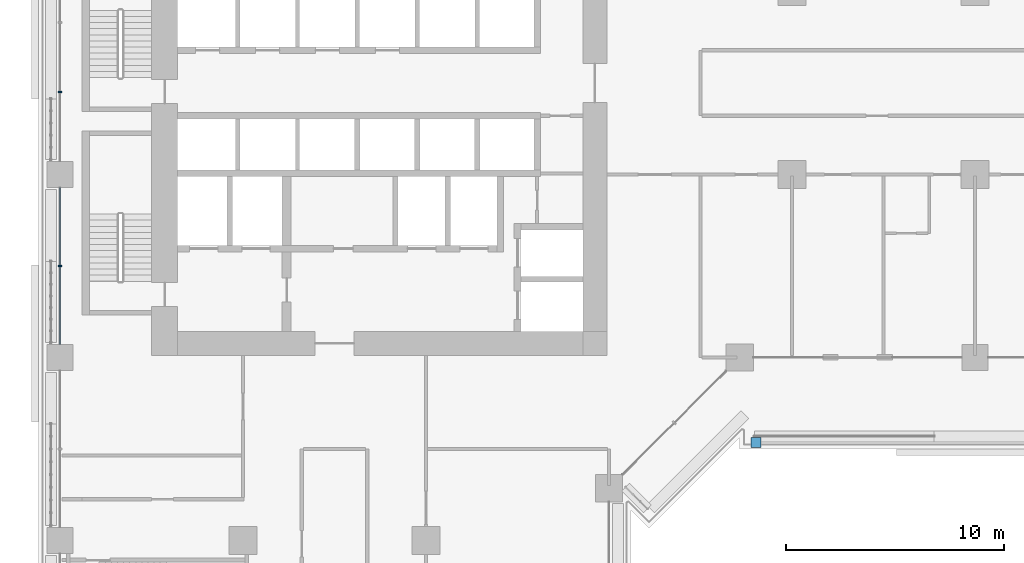
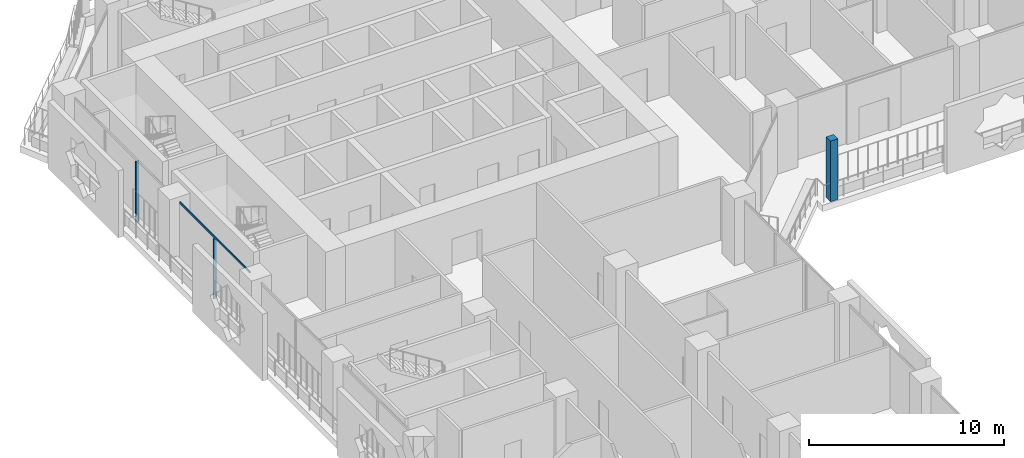
# One storey, part 5 of 28: 4 members, 2 elements without a shape of their own.
"""IFC4 building model written with IfcOpenShell, lengths in metres."""

import ifcopenshell
import ifcopenshell.guid

model = None  # the IFC model being written
_history = None  # IfcOwnerHistory: only IFC2X3 demands one
_inside = {}  # id of a spatial element -> (the spatial element, [elements in it])
_under = {}  # id of a project, library or spatial element -> (it, [spatial elements below it])
_declared = {}  # id of a project -> (the project, [libraries it declares])
_typed = {}  # id of a type object -> (the type object, [elements of that type])
_made_of = {}  # id of a material, layer set ... -> (it, [elements and type objects made of it])


def new_model(schema):
    """Start an empty IFC model of exactly this schema.

    Asked for "IFC4X3", IfcOpenShell would pick the latest addendum, in which some entities
    have other attributes; the version numbers below select the first issue.
    IFC2X3 requires an IfcOwnerHistory on every rooted entity: one is made here for all.
    """
    global model, _history
    if schema == "IFC4X3":
        model = ifcopenshell.file(schema_version=(4, 3, 0, 0))
    else:
        model = ifcopenshell.file(schema=schema)
    _inside.clear()
    _under.clear()
    _declared.clear()
    _typed.clear()
    _made_of.clear()
    _history = None
    if model.schema == "IFC2X3":
        org = make("IfcOrganization", Name="unknown")
        user = make(
            "IfcPersonAndOrganization",
            ThePerson=make("IfcPerson", FamilyName="unknown"),
            TheOrganization=org,
        )
        app = make(
            "IfcApplication",
            ApplicationDeveloper=org,
            Version="unknown",
            ApplicationFullName="unknown",
            ApplicationIdentifier="unknown",
        )
        _history = make(
            "IfcOwnerHistory",
            OwningUser=user,
            OwningApplication=app,
            ChangeAction="ADDED",
            CreationDate=0,
        )
    return model


def make(cls, **values):
    """One entity of the class cls with the attributes given. An attribute that is None is left unset."""
    return model.create_entity(
        cls, **{name: value for name, value in values.items() if value is not None}
    )


def rooted(cls, **values):
    """An entity with a GlobalId (a new one), such as an element, a storey or a relation."""
    return make(cls, GlobalId=ifcopenshell.guid.new(), OwnerHistory=_history, **values)


def si_unit(unit_type, name, prefix=None):
    """IfcSIUnit, for example si_unit("LENGTHUNIT", "METRE", prefix="MILLI")."""
    return make("IfcSIUnit", UnitType=unit_type, Prefix=prefix, Name=name)


def assignment(units):
    """IfcUnitAssignment: the units of a project."""
    return None if units is None else make("IfcUnitAssignment", Units=units)


def point(xyz):
    """IfcCartesianPoint."""
    return None if xyz is None else make("IfcCartesianPoint", Coordinates=xyz)


def direction(xyz):
    """IfcDirection."""
    return None if xyz is None else make("IfcDirection", DirectionRatios=xyz)


def frame(location, z_axis=None, x_axis=None):
    """IfcAxis2Placement3D, a coordinate frame: its origin and axes. An axis left out is left unset."""
    return make(
        "IfcAxis2Placement3D",
        Location=point(location),
        Axis=direction(z_axis),
        RefDirection=direction(x_axis),
    )


def frame_2d(location, x_axis=None):
    """IfcAxis2Placement2D, a coordinate frame in the plane: its origin and x axis."""
    return make(
        "IfcAxis2Placement2D", Location=point(location), RefDirection=direction(x_axis)
    )


def origin():
    """The frame at (0, 0, 0) with its axes left unset."""
    return frame((0.0, 0.0, 0.0))


def origin_2d():
    """The frame at (0, 0) in the plane with its x axis left unset."""
    return frame_2d((0.0, 0.0))


def place(relative_to, where):
    """IfcLocalPlacement: puts the frame where relative to a parent placement (None: the world)."""
    return make(
        "IfcLocalPlacement", PlacementRelTo=relative_to, RelativePlacement=where
    )


def context(
    kind, dimensions, precision=None, world=None, true_north=None, identifier=None
):
    """IfcGeometricRepresentationContext, for example the 3D "Model" context."""
    return make(
        "IfcGeometricRepresentationContext",
        ContextIdentifier=identifier,
        ContextType=kind,
        CoordinateSpaceDimension=dimensions,
        Precision=precision,
        WorldCoordinateSystem=world,
        TrueNorth=true_north,
    )


def subcontext(parent, identifier, kind, view, scale=None):
    """IfcGeometricRepresentationSubContext, for example "Body" below "Model"."""
    return make(
        "IfcGeometricRepresentationSubContext",
        ContextIdentifier=identifier,
        ContextType=kind,
        ParentContext=parent,
        TargetScale=scale,
        TargetView=view,
    )


def project(units=None, contexts=None):
    """IfcProject with its units and contexts."""
    return rooted(
        "IfcProject",
        Name="project",
        RepresentationContexts=contexts,
        UnitsInContext=assignment(units),
    )


def spatial(cls, under=None, at=None, **own):
    """A site, building, storey or space (cls), placed at a placement, below another one or the project."""
    s = rooted(cls, ObjectPlacement=at, **own)
    if under is not None:
        _under.setdefault(under.id(), (under, []))[1].append(s)
    return s


def profile(cls, at=None, kind="AREA", **sizes):
    """A parametric profile (cls). Its sizes go by their IFC names, for example OverallWidth=200.0."""
    return make(cls, ProfileType=kind, Position=at, **sizes)


def rectangle(**sizes):
    """IfcRectangleProfileDef."""
    return profile("IfcRectangleProfileDef", **sizes)


def extrude(swept, where, along, depth):
    """IfcExtrudedAreaSolid: the profile swept, set in the frame where, extruded along a direction by depth."""
    return make(
        "IfcExtrudedAreaSolid",
        SweptArea=swept,
        Position=where,
        ExtrudedDirection=direction(along),
        Depth=depth,
    )


def shape(context_of_items, identifier, shape_type, items):
    """IfcShapeRepresentation: the items that make up one representation, for example the "Body"."""
    return make(
        "IfcShapeRepresentation",
        ContextOfItems=context_of_items,
        RepresentationIdentifier=identifier,
        RepresentationType=shape_type,
        Items=items,
    )


def material(Name=None, Category=None):
    """IfcMaterial."""
    return make("IfcMaterial", Name=Name, Category=Category)


def layer(
    of_material, thickness, ventilated=None, Name=None, Category=None, Priority=None
):
    """IfcMaterialLayer: one layer of a wall or slab, of a material (None: an air gap)."""
    return make(
        "IfcMaterialLayer",
        Material=of_material,
        LayerThickness=thickness,
        IsVentilated=ventilated,
        Name=Name,
        Category=Category,
        Priority=Priority,
    )


def layer_set(layers, Name=None):
    """IfcMaterialLayerSet."""
    return make("IfcMaterialLayerSet", MaterialLayers=layers, LayerSetName=Name)


def material_profile(
    of_material, cross_section, Name=None, Category=None, Priority=None
):
    """IfcMaterialProfile: a cross section and its material."""
    return make(
        "IfcMaterialProfile",
        Name=Name,
        Material=of_material,
        Profile=cross_section,
        Priority=Priority,
        Category=Category,
    )


def profile_set(profiles, Name=None, composite=None):
    """IfcMaterialProfileSet."""
    return make(
        "IfcMaterialProfileSet",
        Name=Name,
        MaterialProfiles=profiles,
        CompositeProfile=composite,
    )


def made_of(thing, what):
    """Note that an element or type object is made of a material, layer set ...; save() writes the relation."""
    if what is not None:
        _made_of.setdefault(what.id(), (what, []))[1].append(thing)
    return thing


def type_object(cls, material=None, **own):
    """A type object (cls), such as IfcWallType, which elements share."""
    return made_of(rooted(cls, **own), material)


def element(
    cls,
    number,
    at=None,
    inside=None,
    cuts=None,
    type_object=None,
    material=None,
    context=None,
    identifier="Body",
    shape_type=None,
    held_by="IfcProductDefinitionShape",
    body=None,
    shapes=None,
    **own,
):
    """One element of the class cls, such as IfcWall. Its Tag is "e" and its number.

    at: its placement. inside: the storey or other place that contains it. cuts: it is an
    opening in that element (IfcRelVoidsElement). A single representation is given by context,
    identifier, shape_type and body (its items); several are given by shapes. held_by: the class
    of the entity that holds the representations. save() writes the other relations.
    """
    e = rooted(cls, Tag="e%d" % number, ObjectPlacement=at, **own)
    if body is not None:
        shapes = [shape(context, identifier, shape_type, body)]
    if shapes is not None:
        e.Representation = make(held_by, Representations=shapes)
    if inside is not None:
        _inside.setdefault(inside.id(), (inside, []))[1].append(e)
    if cuts is not None:
        rooted(
            "IfcRelVoidsElement", RelatingBuildingElement=cuts, RelatedOpeningElement=e
        )
    if type_object is not None:
        _typed.setdefault(type_object.id(), (type_object, []))[1].append(e)
    return made_of(e, material)


def aggregate(whole, parts):
    """IfcRelAggregates: a whole, such as a stair, and the parts it consists of."""
    return rooted("IfcRelAggregates", RelatingObject=whole, RelatedObjects=parts)


def save(model, path):
    """Write the relations noted so far, then the file.

    IfcRelAggregates (storeys below a building ...), IfcRelContainedInSpatialStructure (elements
    in a storey), IfcRelDefinesByType, IfcRelAssociatesMaterial and IfcRelDeclares: one each for
    every whole, place, type object, material and project.
    """
    for whole, parts in _under.values():
        aggregate(whole, parts)
    for where, things in _inside.values():
        rooted(
            "IfcRelContainedInSpatialStructure",
            RelatedElements=things,
            RelatingStructure=where,
        )
    for kind, things in _typed.values():
        rooted("IfcRelDefinesByType", RelatedObjects=things, RelatingType=kind)
    for what, things in _made_of.values():
        rooted("IfcRelAssociatesMaterial", RelatedObjects=things, RelatingMaterial=what)
    for by, libraries in _declared.values():
        rooted("IfcRelDeclares", RelatingContext=by, RelatedDefinitions=libraries)
    model.write(path)


model = new_model("IFC4")

# Units and contexts
model_context = context("Model", 3, precision=1e-05, world=origin(), true_north=direction((0.0, 1.0)))
body_context = subcontext(model_context, "Body", "Model", "MODEL_VIEW")
ifc_project = project(units=[si_unit("LENGTHUNIT", "METRE"), si_unit("AREAUNIT", "SQUARE_METRE"), si_unit("VOLUMEUNIT", "CUBIC_METRE"), si_unit("PLANEANGLEUNIT", "RADIAN"), si_unit("MASSUNIT", "GRAM", prefix="KILO")], contexts=[model_context])

# Site, building, storey
site_placement = place(None, origin())
site = spatial("IfcSite", under=ifc_project, at=site_placement, CompositionType="ELEMENT")
building_placement = place(site_placement, origin())
building = spatial("IfcBuilding", under=site, at=building_placement, Name="Kawkab Arch Medical Tower", CompositionType="ELEMENT")
storey_placement = place(building_placement, frame((0.0, 0.0, 77.0)))
storey = spatial("IfcBuildingStorey", under=building, at=storey_placement, Name="L17", CompositionType="ELEMENT", Elevation=77.0)

# Curtain wall, members
ifc_material_1 = material(Name="Bronze anodised aluminium curtain wall frame", Category="aluminium")
ifc_layer_1 = layer(ifc_material_1, 0.159912109375)
ifc_layer_set_1 = layer_set([ifc_layer_1], Name="Bronze anodised aluminium curtain wall frame")
curtain_wall_type_1 = type_object("IfcCurtainWallType", Name="CW1 ward curtain wall", PredefinedType="NOTDEFINED", material=ifc_layer_set_1)
placement = place(storey_placement, origin())
curtain_wall_1 = element("IfcCurtainWall", 1, at=placement, inside=storey, type_object=curtain_wall_type_1, Name="CW1 Ward curtain wall R01", PredefinedType="NOTDEFINED")
ifc_material_2 = material(Name="Bronze anodised aluminium curtain wall frame", Category="aluminium")
ifc_material_profile_1 = material_profile(ifc_material_2, rectangle(XDim=0.179931640625, YDim=0.06005859375, at=origin_2d()), Name="AL 60x180")
ifc_profile_set_1 = profile_set([ifc_material_profile_1], Name="Bronze anodised aluminium curtain wall frame")
member_type_1 = type_object("IfcMemberType", Name="CW1 mullion 60 x 180", PredefinedType="MULLION", material=ifc_profile_set_1)
member_1_placement = place(storey_placement, frame((0.0, -13.00830078125, 0.0), z_axis=(0.0, 0.0, 1.0), x_axis=(1.0, 0.0, 0.0)))
member_1 = element("IfcMember", 2, at=member_1_placement, type_object=member_type_1, Name="CW1 mullion 1.2", PredefinedType="MULLION", context=body_context, shape_type="SweptSolid", body=[
    extrude(rectangle(XDim=0.179931640625, YDim=0.06005859375, at=origin_2d()), origin(), (0.0, 0.0, 1.0), 3.780029296875),
])
member_2_placement = place(storey_placement, frame((0.0, -21.0, 0.0), z_axis=(0.0, 0.0, 1.0), x_axis=(1.0, 0.0, 0.0)))
member_2 = element("IfcMember", 3, at=member_2_placement, type_object=member_type_1, Name="CW1 mullion 2.1", PredefinedType="MULLION", context=body_context, shape_type="SweptSolid", body=[
    extrude(rectangle(XDim=0.179931640625, YDim=0.06005859375, at=origin_2d()), origin(), (0.0, 0.0, 1.0), 3.780029296875),
])
ifc_material_3 = material(Name="Bronze anodised aluminium curtain wall frame", Category="aluminium")
ifc_material_profile_2 = material_profile(ifc_material_3, rectangle(XDim=0.06005859375, YDim=0.1201171875, at=origin_2d()), Name="AL 60x120")
ifc_profile_set_2 = profile_set([ifc_material_profile_2], Name="Bronze anodised aluminium curtain wall frame")
member_type_2 = type_object("IfcMemberType", Name="CW1 transom 120 x 60", PredefinedType="USERDEFINED", material=ifc_profile_set_2)
member_3_placement = place(storey_placement, frame((0.0, -17.39990234375, 3.840087890625), z_axis=(0.0, -1.0, 0.0), x_axis=(1.0, 0.0, 0.0)))
member_3 = element("IfcMember", 4, at=member_3_placement, type_object=member_type_2, Name="CW1 transom 2", ObjectType="TRANSOM", PredefinedType="USERDEFINED", context=body_context, shape_type="SweptSolid", body=[
    extrude(rectangle(XDim=0.06005859375, YDim=0.1201171875, at=origin_2d()), origin(), (0.0, 0.0, 1.0), 7.2001953125),
])
aggregate(curtain_wall_1, [member_1, member_3, member_2])

# Curtain wall, member
ifc_material_4 = material(Name="Bronze anodised aluminium climber frame, planted", Category="aluminium")
ifc_layer_2 = layer(ifc_material_4, 0.449951171875)
ifc_layer_set_2 = layer_set([ifc_layer_2], Name="Bronze anodised aluminium climber frame, planted")
curtain_wall_type_2 = type_object("IfcCurtainWallType", Name="Planted climber frame", PredefinedType="NOTDEFINED", material=ifc_layer_set_2)
curtain_wall_2 = element("IfcCurtainWall", 5, at=placement, inside=storey, type_object=curtain_wall_type_2, Name="Planted climber frame L17", PredefinedType="NOTDEFINED")
ifc_material_5 = material(Name="Bronze anodised aluminium climber frame, planted", Category="aluminium")
ifc_material_profile_3 = material_profile(ifc_material_5, rectangle(XDim=0.449951171875, YDim=0.449951171875, at=origin_2d()), Name="Post 450x450")
ifc_profile_set_3 = profile_set([ifc_material_profile_3], Name="Bronze anodised aluminium climber frame, planted")
member_type_3 = type_object("IfcMemberType", Name="Planted climber post 450 x 450", PredefinedType="MULLION", material=ifc_profile_set_3)
member_4_placement = place(storey_placement, frame((31.949951171875, -29.10009765625, 0.0), z_axis=(0.0, 0.0, 1.0), x_axis=(1.0, 0.0, 0.0)))
member_4 = element("IfcMember", 6, at=member_4_placement, type_object=member_type_3, Name="Planted climber post L17.LOG-01-01.6", PredefinedType="MULLION", context=body_context, shape_type="SweptSolid", body=[
    extrude(rectangle(XDim=0.449951171875, YDim=0.449951171875, at=origin_2d()), origin(), (0.0, 0.0, 1.0), 3.800048828125),
])
aggregate(curtain_wall_2, [member_4])

save(model, "model.ifc")
